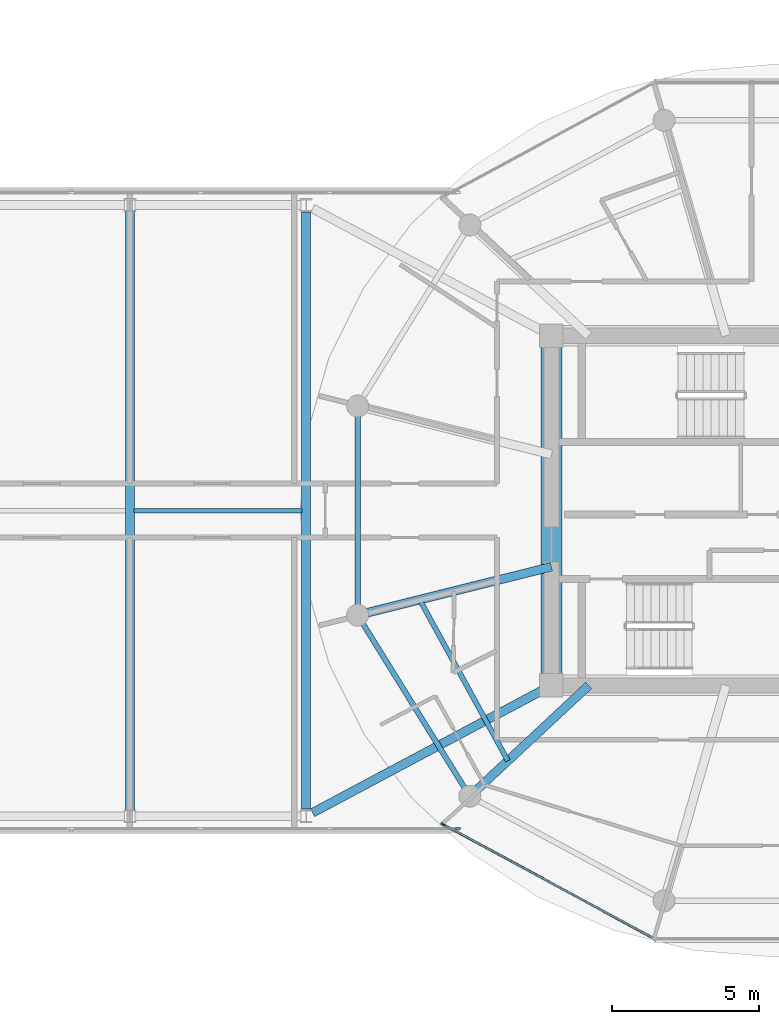
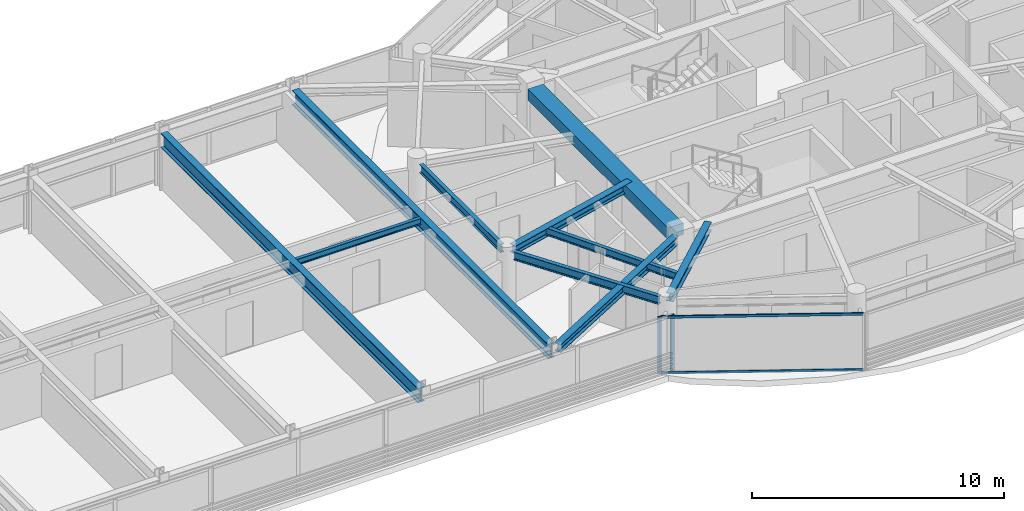
# One storey, part 7 of 23: 10 beams, 4 members, 2 elements without a shape of their own.
"""IFC4 building model written with IfcOpenShell, lengths in metres."""

from ifc_helpers import new_model, si_unit, direction, frame, origin, origin_2d, place, context, subcontext, project, spatial, rectangle, i_section, extrude, source, transform, mapped, material, layer, layer_set, material_profile, profile_set, type_object, type_shapes, element, aggregate, save


model = new_model("IFC4")

# Units and contexts
model_context = context("Model", 3, precision=1e-05, world=origin(), true_north=direction((0.0, 1.0)))
body_context = subcontext(model_context, "Body", "Model", "MODEL_VIEW")
ifc_project = project(units=[si_unit("LENGTHUNIT", "METRE"), si_unit("AREAUNIT", "SQUARE_METRE"), si_unit("VOLUMEUNIT", "CUBIC_METRE"), si_unit("PLANEANGLEUNIT", "RADIAN"), si_unit("MASSUNIT", "GRAM", prefix="KILO")], contexts=[model_context])

# Site, building, storey
site_placement = place(None, origin())
site = spatial("IfcSite", under=ifc_project, at=site_placement, CompositionType="ELEMENT")
building_placement = place(site_placement, origin())
building = spatial("IfcBuilding", under=site, at=building_placement, Name="Norrkilde Senior Care Towers", CompositionType="ELEMENT")
storey_placement = place(building_placement, frame((0.0, 0.0, 207.800048828125)))
storey = spatial("IfcBuildingStorey", under=building, at=storey_placement, Name="L64", CompositionType="ELEMENT", Elevation=207.800048828125)

# Beams
ifc_material_1 = material(Name="Concrete C60/75", Category="concrete")
ifc_material_profile_1 = material_profile(ifc_material_1, rectangle(XDim=0.699951171875, YDim=0.550048828125, at=origin_2d()), Name="RC BM 700x550")
ifc_profile_set_1 = profile_set([ifc_material_profile_1], Name="Concrete C60/75")
beam_type_1 = type_object("IfcBeamType", Name="Core Portal Coupling Beam 700x550", PredefinedType="USERDEFINED", material=ifc_profile_set_1)
shared_shape_1 = source(origin(), body_context, "Body", "SweptSolid", [
    extrude(rectangle(XDim=0.699951171875, YDim=0.550048828125, at=origin_2d()), origin(), (0.0, 0.0, 1.0), 11.14013671875),
])
type_shapes(beam_type_1, [shared_shape_1])
beam_1_placement = place(storey_placement, frame((20.35009765625, -5.570068359375, 2.48486328125), z_axis=(0.0, 1.0, 0.0), x_axis=(-1.0, 0.0, 0.0)))
element("IfcBeam", 1, at=beam_1_placement, inside=storey, type_object=beam_type_1, Name="L64 Core E W Coupling Girder", ObjectType="GIRDER", PredefinedType="USERDEFINED", context=body_context, shape_type="MappedRepresentation", body=[
    mapped(shared_shape_1, transform((0.0, 0.0, 0.0), x_axis=(1.0, 0.0, 0.0), y_axis=(0.0, 1.0, 0.0), z_axis=(0.0, 0.0, 1.0), scale=1.0)),
])
ifc_material_2 = material(Name="Steel S355", Category="steel")
ifc_material_profile_2 = material_profile(ifc_material_2, i_section(OverallWidth=0.179931640625, OverallDepth=0.39990234375, WebThickness=0.008544921875, FlangeThickness=0.013427734375, FilletRadius=0.02099609375, at=origin_2d()), Name="IPE 400")
ifc_profile_set_2 = profile_set([ifc_material_profile_2], Name="Steel S355")
beam_type_2 = type_object("IfcBeamType", Name="Perimeter Ring Spandrel Z4 IPE400", PredefinedType="SPANDREL", material=ifc_profile_set_2)
shared_shape_2 = source(origin(), body_context, "Body", "SweptSolid", [
    extrude(i_section(OverallWidth=0.179931640625, OverallDepth=0.39990234375, WebThickness=0.008544921875, FlangeThickness=0.013427734375, FilletRadius=0.02099609375, at=origin_2d()), origin(), (0.0, 0.0, 1.0), 6.58056640625),
])
beam_2_placement = place(storey_placement, frame((13.928955078125, -3.843505859375, 2.56005859375), z_axis=(0.526529583789, -0.850156807533, 0.0), x_axis=(0.850156807533, 0.526529583789, 0.0)))
element("IfcBeam", 2, at=beam_2_placement, inside=storey, type_object=beam_type_2, Name="L64 Drum E Perimeter Spandrel 07", PredefinedType="SPANDREL", context=body_context, shape_type="MappedRepresentation", body=[
    mapped(shared_shape_2, transform((0.0, 0.0, 0.0), x_axis=(1.0, 0.0, 0.0), y_axis=(0.0, 1.0, 0.0), z_axis=(0.0, 0.0, 1.0), scale=1.0)),
])
ifc_material_profile_3 = material_profile(ifc_material_2, i_section(OverallWidth=0.300048828125, OverallDepth=0.39990234375, WebThickness=0.013427734375, FlangeThickness=0.02392578125, FilletRadius=0.027099609375, at=origin_2d()), Name="HEB 400")
ifc_profile_set_3 = profile_set([ifc_material_profile_3], Name="Steel S355")
beam_type_3 = type_object("IfcBeamType", Name="Radial Floor Beam Z4 HEB400", PredefinedType="BEAM", material=ifc_profile_set_3)
shared_shape_3 = source(origin(), body_context, "Body", "SweptSolid", [
    extrude(i_section(OverallWidth=0.300048828125, OverallDepth=0.39990234375, WebThickness=0.013427734375, FlangeThickness=0.02392578125, FilletRadius=0.027099609375, at=origin_2d()), origin(), (0.0, 0.0, 1.0), 6.465087890625),
])
beam_3_placement = place(storey_placement, frame((20.35009765625, -1.910888671875, 2.56005859375), z_axis=(-0.970195788563, -0.242322371758, 0.0), x_axis=(0.242322371758, -0.970195788563, 0.0)))
element("IfcBeam", 3, at=beam_3_placement, inside=storey, type_object=beam_type_3, Name="L64 Drum E Radial Floor Beam 07", PredefinedType="BEAM", context=body_context, shape_type="MappedRepresentation", body=[
    mapped(shared_shape_3, transform((0.0, 0.0, 0.0), x_axis=(1.0, 0.0, 0.0), y_axis=(0.0, 1.0, 0.0), z_axis=(0.0, 0.0, 1.0), scale=1.0)),
])
shared_shape_4 = source(origin(), body_context, "Body", "SweptSolid", [
    extrude(i_section(OverallWidth=0.300048828125, OverallDepth=0.39990234375, WebThickness=0.013427734375, FlangeThickness=0.02392578125, FilletRadius=0.027099609375, at=origin_2d()), origin(), (0.0, 0.0, 1.0), 5.197998046875),
])
beam_4_placement = place(storey_placement, frame((21.6171875, -5.949951171875, 2.56005859375), z_axis=(-0.731448749334, -0.681896419625, 0.0), x_axis=(0.681896419625, -0.731448749334, 0.0)))
element("IfcBeam", 4, at=beam_4_placement, inside=storey, type_object=beam_type_3, Name="L64 Drum E Radial Floor Beam 08", PredefinedType="BEAM", context=body_context, shape_type="MappedRepresentation", body=[
    mapped(shared_shape_4, transform((0.0, 0.0, 0.0), x_axis=(1.0, 0.0, 0.0), y_axis=(0.0, 1.0, 0.0), z_axis=(0.0, 0.0, 1.0), scale=1.0)),
])
shared_shape_5 = source(origin(), body_context, "Body", "SweptSolid", [
    extrude(i_section(OverallWidth=0.179931640625, OverallDepth=0.39990234375, WebThickness=0.008544921875, FlangeThickness=0.013427734375, FilletRadius=0.02099609375, at=origin_2d()), origin(), (0.0, 0.0, 1.0), 6.44775390625),
])
type_shapes(beam_type_2, [shared_shape_2, shared_shape_5])
beam_5_placement = place(storey_placement, frame((13.752685546875, 3.223876953125, 2.56005859375), z_axis=(0.0, -1.0, 0.0), x_axis=(1.0, 0.0, 0.0)))
element("IfcBeam", 5, at=beam_5_placement, inside=storey, type_object=beam_type_2, Name="L64 Drum E Perimeter Spandrel 06", PredefinedType="SPANDREL", context=body_context, shape_type="MappedRepresentation", body=[
    mapped(shared_shape_5, transform((0.0, 0.0, 0.0), x_axis=(1.0, 0.0, 0.0), y_axis=(0.0, 1.0, 0.0), z_axis=(0.0, 0.0, 1.0), scale=1.0)),
])
ifc_material_profile_4 = material_profile(ifc_material_2, i_section(OverallWidth=0.169921875, OverallDepth=0.360107421875, WebThickness=0.008056640625, FlangeThickness=0.0126953125, FilletRadius=0.01806640625, at=origin_2d()), Name="IPE 360")
ifc_profile_set_4 = profile_set([ifc_material_profile_4], Name="Steel S355")
beam_type_4 = type_object("IfcBeamType", Name="Secondary Floor Joist IPE360", PredefinedType="JOIST", material=ifc_profile_set_4)
shared_shape_6 = source(origin(), body_context, "Body", "SweptSolid", [
    extrude(i_section(OverallWidth=0.169921875, OverallDepth=0.360107421875, WebThickness=0.008056640625, FlangeThickness=0.0126953125, FilletRadius=0.01806640625, at=origin_2d()), origin(), (0.0, 0.0, 1.0), 6.25146484375),
])
type_shapes(beam_type_4, [shared_shape_6])
beam_6_placement = place(storey_placement, frame((15.86376953125, -3.031494140625, 2.579833984375), z_axis=(0.480115752653, -0.877205143655, 0.0), x_axis=(0.877205143655, 0.480115752653, 0.0)))
element("IfcBeam", 6, at=beam_6_placement, inside=storey, type_object=beam_type_4, Name="L64 Drum E Secondary Floor Joist 3", PredefinedType="JOIST", context=body_context, shape_type="MappedRepresentation", body=[
    mapped(shared_shape_6, transform((0.0, 0.0, 0.0), x_axis=(1.0, 0.0, 0.0), y_axis=(0.0, 1.0, 0.0), z_axis=(0.0, 0.0, 1.0), scale=1.0)),
])
ifc_material_profile_5 = material_profile(ifc_material_2, i_section(OverallWidth=0.300048828125, OverallDepth=0.699951171875, WebThickness=0.01708984375, FlangeThickness=0.031982421875, FilletRadius=0.027099609375, at=origin_2d()), Name="HEB 700")
ifc_profile_set_5 = profile_set([ifc_material_profile_5], Name="Steel S355")
beam_type_5 = type_object("IfcBeamType", Name="Bridge Cross Girder HEB700", PredefinedType="USERDEFINED", material=ifc_profile_set_5)
shared_shape_7 = source(origin(), body_context, "Body", "SweptSolid", [
    extrude(i_section(OverallWidth=0.300048828125, OverallDepth=0.699951171875, WebThickness=0.01708984375, FlangeThickness=0.031982421875, FilletRadius=0.027099609375, at=origin_2d()), origin(), (0.0, 0.0, 1.0), 20.31982421875),
])
beam_7_placement = place(storey_placement, frame((12.0, -10.159912109375, 2.409912109375), z_axis=(0.0, 1.0, 0.0), x_axis=(-1.0, 0.0, 0.0)))
element("IfcBeam", 7, at=beam_7_placement, inside=storey, type_object=beam_type_5, Name="L64 Sky-Gate Bridge Cross Girder +12", ObjectType="GIRDER", PredefinedType="USERDEFINED", context=body_context, shape_type="MappedRepresentation", body=[
    mapped(shared_shape_7, transform((0.0, 0.0, 0.0), x_axis=(1.0, 0.0, 0.0), y_axis=(0.0, 1.0, 0.0), z_axis=(0.0, 0.0, 1.0), scale=1.0)),
])
shared_shape_8 = source(origin(), body_context, "Body", "SweptSolid", [
    extrude(i_section(OverallWidth=0.300048828125, OverallDepth=0.699951171875, WebThickness=0.01708984375, FlangeThickness=0.031982421875, FilletRadius=0.027099609375, at=origin_2d()), origin(), (0.0, 0.0, 1.0), 20.43994140625),
])
type_shapes(beam_type_5, [shared_shape_7, shared_shape_8])
beam_8_placement = place(storey_placement, frame((6.0, -10.219970703125, 2.409912109375), z_axis=(0.0, 1.0, 0.0), x_axis=(-1.0, 0.0, 0.0)))
element("IfcBeam", 8, at=beam_8_placement, inside=storey, type_object=beam_type_5, Name="L64 Sky-Gate Bridge Cross Girder +6", ObjectType="GIRDER", PredefinedType="USERDEFINED", context=body_context, shape_type="MappedRepresentation", body=[
    mapped(shared_shape_8, transform((0.0, 0.0, 0.0), x_axis=(1.0, 0.0, 0.0), y_axis=(0.0, 1.0, 0.0), z_axis=(0.0, 0.0, 1.0), scale=1.0)),
])
shared_shape_9 = source(origin(), body_context, "Body", "SweptSolid", [
    extrude(i_section(OverallWidth=0.300048828125, OverallDepth=0.39990234375, WebThickness=0.013427734375, FlangeThickness=0.02392578125, FilletRadius=0.027099609375, at=origin_2d()), origin(), (0.0, 0.0, 1.0), 8.831787109375),
])
type_shapes(beam_type_3, [shared_shape_3, shared_shape_4, shared_shape_9])
beam_9_placement = place(storey_placement, frame((12.220703125, -10.282470703125, 2.56005859375), z_axis=(0.882492172381, 0.470327083727, 0.0), x_axis=(-0.470327083727, 0.882492172381, 0.0)))
element("IfcBeam", 9, at=beam_9_placement, inside=storey, type_object=beam_type_3, Name="L64 Sky-Gate Bridge Girder S6", PredefinedType="BEAM", context=body_context, shape_type="MappedRepresentation", body=[
    mapped(shared_shape_9, transform((0.0, 0.0, 0.0), x_axis=(1.0, 0.0, 0.0), y_axis=(0.0, 1.0, 0.0), z_axis=(0.0, 0.0, 1.0), scale=1.0)),
])
ifc_material_profile_6 = material_profile(ifc_material_2, i_section(OverallWidth=0.14990234375, OverallDepth=0.300048828125, WebThickness=0.007080078125, FlangeThickness=0.0107421875, FilletRadius=0.014892578125, at=origin_2d()), Name="IPE 300")
ifc_profile_set_6 = profile_set([ifc_material_profile_6], Name="Steel S355")
beam_type_6 = type_object("IfcBeamType", Name="Bridge Deck Joist IPE300", PredefinedType="JOIST", material=ifc_profile_set_6)
shared_shape_10 = source(origin(), body_context, "Body", "SweptSolid", [
    extrude(i_section(OverallWidth=0.14990234375, OverallDepth=0.300048828125, WebThickness=0.007080078125, FlangeThickness=0.0107421875, FilletRadius=0.014892578125, at=origin_2d()), origin(), (0.0, 0.0, 1.0), 5.7099609375),
])
type_shapes(beam_type_6, [shared_shape_10])
beam_10_placement = place(storey_placement, frame((6.14501953125, 0.0, 2.60986328125), z_axis=(1.0, 0.0, 0.0), x_axis=(0.0, 1.0, 0.0)))
element("IfcBeam", 10, at=beam_10_placement, inside=storey, type_object=beam_type_6, Name="L64 Bridge Deck Joist 4", PredefinedType="JOIST", context=body_context, shape_type="MappedRepresentation", body=[
    mapped(shared_shape_10, transform((0.0, 0.0, 0.0), x_axis=(1.0, 0.0, 0.0), y_axis=(0.0, 1.0, 0.0), z_axis=(0.0, 0.0, 1.0), scale=1.0)),
])

# Curtain wall, members
ifc_material_3 = material(Name="Triple Low-E Insulated Glazing", Category="glass")
ifc_layer_1 = layer(ifc_material_3, 0.18505859375)
ifc_layer_set_1 = layer_set([ifc_layer_1], Name="Triple Low-E Insulated Glazing")
curtain_wall_type_1 = type_object("IfcCurtainWallType", Name="CW6 Zone 4 Crown Pavilion Curtain Wall", PredefinedType="NOTDEFINED", material=ifc_layer_set_1)
curtain_wall_1_placement = place(storey_placement, origin())
curtain_wall_1 = element("IfcCurtainWall", 11, at=curtain_wall_1_placement, inside=storey, type_object=curtain_wall_type_1, Name="L64 Drum E Curtain Wall 07", PredefinedType="NOTDEFINED")
ifc_material_4 = material(Name="Anodised Aluminium", Category="aluminium")
ifc_material_profile_7 = material_profile(ifc_material_4, rectangle(XDim=0.06005859375, YDim=0.1201171875, at=origin_2d()), Name="ALU TRAN 60x120")
ifc_profile_set_7 = profile_set([ifc_material_profile_7], Name="Anodised Aluminium")
member_type_1 = type_object("IfcMemberType", Name="Curtain Wall Transom Typical 60x120", PredefinedType="USERDEFINED", material=ifc_profile_set_7)
shared_shape_11 = source(origin(), body_context, "Body", "SweptSolid", [
    extrude(rectangle(XDim=0.06005859375, YDim=0.1201171875, at=origin_2d()), origin(), (0.0, 0.0, 1.0), 8.0673828125),
])
type_shapes(member_type_1, [shared_shape_11])
member_1_placement = place(storey_placement, frame((23.781005859375, -14.53515625, 0.030029296875), z_axis=(-0.87937750072, 0.476125205411, 0.0), x_axis=(-0.476125205411, -0.87937750072, 0.0)))
member_1 = element("IfcMember", 12, at=member_1_placement, type_object=member_type_1, Name="CW-6 transom 1.1", ObjectType="TRANSOM", PredefinedType="USERDEFINED", context=body_context, shape_type="MappedRepresentation", body=[
    mapped(shared_shape_11, transform((0.0, 0.0, 0.0), x_axis=(1.0, 0.0, 0.0), y_axis=(0.0, 1.0, 0.0), z_axis=(0.0, 0.0, 1.0), scale=1.0)),
])
member_2_placement = place(storey_placement, frame((23.781005859375, -14.53515625, 2.72998046875), z_axis=(-0.87937750072, 0.476125205411, 0.0), x_axis=(-0.476125205411, -0.87937750072, 0.0)))
member_2 = element("IfcMember", 13, at=member_2_placement, type_object=member_type_1, Name="CW-6 transom 1.2", ObjectType="TRANSOM", PredefinedType="USERDEFINED", context=body_context, shape_type="MappedRepresentation", body=[
    mapped(shared_shape_11, transform((0.0, 0.0, 0.0), x_axis=(1.0, 0.0, 0.0), y_axis=(0.0, 1.0, 0.0), z_axis=(0.0, 0.0, 1.0), scale=1.0)),
])
ifc_material_profile_8 = material_profile(ifc_material_4, rectangle(XDim=0.06494140625, YDim=0.14990234375, at=origin_2d()), Name="ALU MULL 65x150")
ifc_profile_set_8 = profile_set([ifc_material_profile_8], Name="Anodised Aluminium")
member_type_2 = type_object("IfcMemberType", Name="Curtain Wall Mullion Z3-Z4 65x150", PredefinedType="MULLION", material=ifc_profile_set_8)
shared_shape_12 = source(origin(), body_context, "Body", "SweptSolid", [
    extrude(rectangle(XDim=0.06494140625, YDim=0.14990234375, at=origin_2d()), origin(), (0.0, 0.0, 1.0), 2.760009765625),
])
type_shapes(member_type_2, [shared_shape_12])
member_3_placement = place(storey_placement, frame((16.658203125, -10.6787109375, 0.0), z_axis=(0.0, 0.0, 1.0), x_axis=(-0.476132676136, -0.879373455772, 0.0)))
member_3 = element("IfcMember", 14, at=member_3_placement, type_object=member_type_2, Name="CW-6 mullion 2", PredefinedType="MULLION", context=body_context, shape_type="MappedRepresentation", body=[
    mapped(shared_shape_12, transform((0.0, 0.0, 0.0), x_axis=(1.0, 0.0, 0.0), y_axis=(0.0, 1.0, 0.0), z_axis=(0.0, 0.0, 1.0), scale=1.0)),
])
aggregate(curtain_wall_1, [member_3, member_1, member_2])

# Curtain wall, member
ifc_layer_2 = layer(ifc_material_3, 0.2099609375)
ifc_layer_set_2 = layer_set([ifc_layer_2], Name="Triple Low-E Insulated Glazing")
curtain_wall_type_2 = type_object("IfcCurtainWallType", Name="CW5 Sky-Gate Bridge Curtain Wall", PredefinedType="NOTDEFINED", material=ifc_layer_set_2)
curtain_wall_2_placement = place(storey_placement, origin())
curtain_wall_2 = element("IfcCurtainWall", 15, at=curtain_wall_2_placement, inside=storey, type_object=curtain_wall_type_2, Name="L64 Sky-Gate Bridge South Curtain Wall 1", PredefinedType="NOTDEFINED")
ifc_material_profile_9 = material_profile(ifc_material_4, rectangle(XDim=0.070068359375, YDim=0.169921875, at=origin_2d()), Name="ALU MULL 70x170")
ifc_profile_set_9 = profile_set([ifc_material_profile_9], Name="Anodised Aluminium")
member_type_3 = type_object("IfcMemberType", Name="Curtain Wall Mullion Heavy 70x170", PredefinedType="MULLION", material=ifc_profile_set_9)
shared_shape_13 = source(origin(), body_context, "Body", "SweptSolid", [
    extrude(rectangle(XDim=0.070068359375, YDim=0.169921875, at=origin_2d()), origin(), (0.0, 0.0, 1.0), 2.760009765625),
])
type_shapes(member_type_3, [shared_shape_13])
member_4_placement = place(storey_placement, frame((17.1650390625, -10.820068359375, 0.0), z_axis=(0.0, 0.0, 1.0), x_axis=(0.0, -1.0, 0.0)))
member_4 = element("IfcMember", 16, at=member_4_placement, type_object=member_type_3, Name="CW-5 mullion 1", PredefinedType="MULLION", context=body_context, shape_type="MappedRepresentation", body=[
    mapped(shared_shape_13, transform((0.0, 0.0, 0.0), x_axis=(1.0, 0.0, 0.0), y_axis=(0.0, 1.0, 0.0), z_axis=(0.0, 0.0, 1.0), scale=1.0)),
])
aggregate(curtain_wall_2, [member_4])

save(model, "model.ifc")
